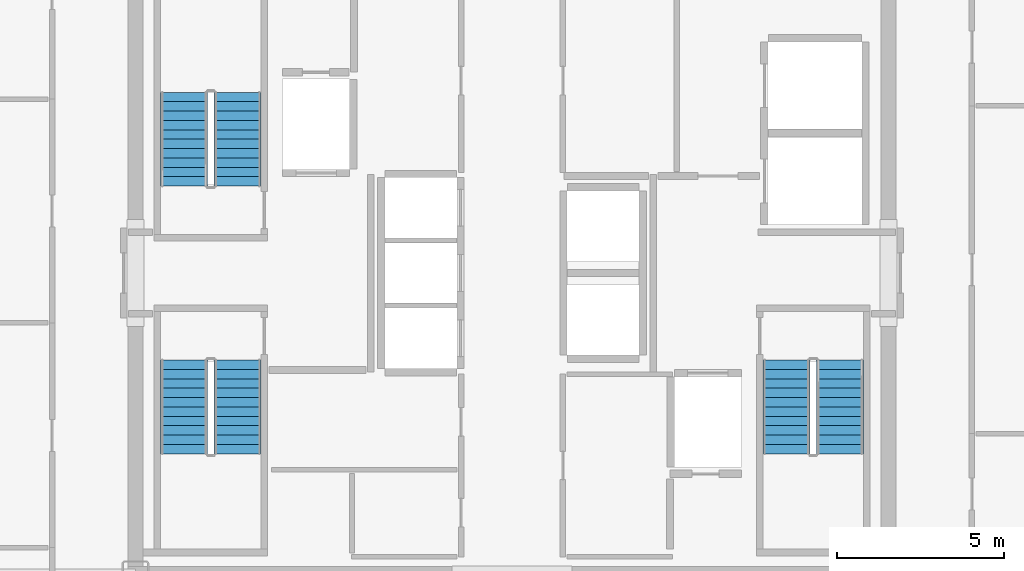
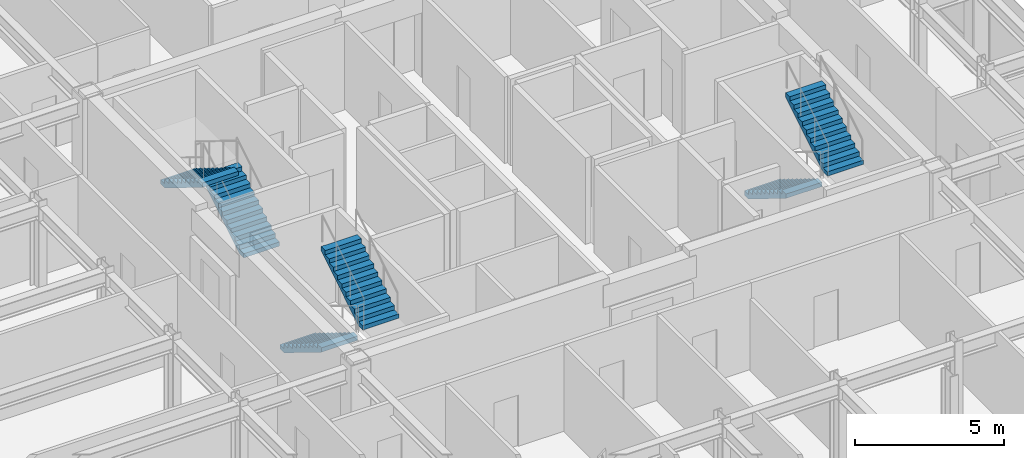
# One storey, part 17 of 18: 6 stair flights, 3 elements without a shape of their own.
"""IFC4 building model written with IfcOpenShell, lengths in metres."""

from ifc_helpers import new_model, si_unit, direction, frame, origin, place, context, subcontext, project, spatial, polyline, outline, extrude, source, transform, mapped, material, type_object, element, aggregate, save


model = new_model("IFC4")

# Units and contexts
model_context = context("Model", 3, precision=1e-05, world=origin(), true_north=direction((0.0, 1.0)))
body_context = subcontext(model_context, "Body", "Model", "MODEL_VIEW")
ifc_project = project(units=[si_unit("LENGTHUNIT", "METRE"), si_unit("AREAUNIT", "SQUARE_METRE"), si_unit("VOLUMEUNIT", "CUBIC_METRE"), si_unit("PLANEANGLEUNIT", "RADIAN"), si_unit("MASSUNIT", "GRAM", prefix="KILO")], contexts=[model_context])

# Site, building, storey
site_placement = place(None, origin())
site = spatial("IfcSite", under=ifc_project, at=site_placement, CompositionType="ELEMENT")
building_placement = place(site_placement, origin())
building = spatial("IfcBuilding", under=site, at=building_placement, Name="Nefas-Gora Pilgrimage Tower", CompositionType="ELEMENT")
storey_placement = place(building_placement, frame((0.0, 0.0, 272.199951171875)))
storey = spatial("IfcBuildingStorey", under=building, at=storey_placement, Name="L68", CompositionType="ELEMENT", Elevation=272.199951171875)

# Stair, stair flights
ifc_material = material(Name="Concrete C45/55", Category="concrete")
stair_type = type_object("IfcStairType", Name="STR-1400-R1727", PredefinedType="HALF_TURN_STAIR", material=ifc_material)
stair_1_placement = place(storey_placement, origin())
stair_1 = element("IfcStair", 1, at=stair_1_placement, inside=storey, type_object=stair_type, Name="L68 Pressurised Tower Exit Stair ST-01", PredefinedType="HALF_TURN_STAIR")
stair_flight_type = type_object("IfcStairFlightType", Name="STF-1400-R1727", PredefinedType="STRAIGHT", material=ifc_material)
shared_shape = source(origin(), body_context, "Body", "SweptSolid", [
    extrude(outline(polyline([(0.0, 0.0), (0.0, 0.172607421875), (0.280029296875, 0.172607421875), (0.280029296875, 0.345458984375), (0.56005859375, 0.345458984375), (0.56005859375, 0.51806640625), (0.840087890625, 0.51806640625), (0.840087890625, 0.69091796875), (1.1201171875, 0.69091796875), (1.1201171875, 0.863525390625), (1.39990234375, 0.863525390625), (1.39990234375, 1.036376953125), (1.679931640625, 1.036376953125), (1.679931640625, 1.208984375), (1.9599609375, 1.208984375), (1.9599609375, 1.3818359375), (2.239990234375, 1.3818359375), (2.239990234375, 1.554443359375), (2.52001953125, 1.554443359375), (2.52001953125, 1.727294921875), (2.800048828125, 1.727294921875), (2.800048828125, 1.89990234375), (2.800048828125, 1.551025390625), (0.285400390625, 0.0), (0.0, 0.0)])), frame((0.0, 0.699951171875, 0.0), z_axis=(0.0, -1.0, 0.0), x_axis=(1.0, 0.0, 0.0)), (0.0, 0.0, 1.0), 1.39990234375),
])
stair_flight_1_placement = place(storey_placement, frame((-8.199951171875, 2.60009765625, 0.0), z_axis=(0.0, 0.0, 1.0), x_axis=(0.0, 1.0, 0.0)))
stair_flight_1 = element("IfcStairFlight", 2, at=stair_flight_1_placement, type_object=stair_flight_type, Name="ST-01 flight 1", NumberOfRisers=11, NumberOfTreads=10, PredefinedType="STRAIGHT", RiserHeight=0.172727273, TreadLength=0.28, context=body_context, shape_type="MappedRepresentation", body=[
    mapped(shared_shape, transform((0.0, 0.0, 0.0), x_axis=(1.0, 0.0, 0.0), y_axis=(0.0, 1.0, 0.0), z_axis=(0.0, 0.0, 1.0), scale=1.0)),
])
stair_flight_2_placement = place(storey_placement, frame((-9.800048828125, 5.39990234375, 1.900146484375), z_axis=(0.0, 0.0, 1.0), x_axis=(0.0, -1.0, 0.0)))
stair_flight_2 = element("IfcStairFlight", 3, at=stair_flight_2_placement, type_object=stair_flight_type, Name="ST-01 flight 2", NumberOfRisers=11, NumberOfTreads=10, PredefinedType="STRAIGHT", RiserHeight=0.172727273, TreadLength=0.28, context=body_context, shape_type="MappedRepresentation", body=[
    mapped(shared_shape, transform((0.0, 0.0, 0.0), x_axis=(1.0, 0.0, 0.0), y_axis=(0.0, 1.0, 0.0), z_axis=(0.0, 0.0, 1.0), scale=1.0)),
])
aggregate(stair_1, [stair_flight_1, stair_flight_2])

stair_2_placement = place(storey_placement, origin())
stair_2 = element("IfcStair", 4, at=stair_2_placement, inside=storey, type_object=stair_type, Name="L68 Pressurised Tower Exit Stair ST-02", PredefinedType="HALF_TURN_STAIR")
stair_flight_3_placement = place(storey_placement, frame((8.199951171875, -2.60009765625, 0.0), z_axis=(0.0, 0.0, 1.0), x_axis=(0.0, -1.0, 0.0)))
stair_flight_3 = element("IfcStairFlight", 5, at=stair_flight_3_placement, type_object=stair_flight_type, Name="ST-02 flight 1", NumberOfRisers=11, NumberOfTreads=10, PredefinedType="STRAIGHT", RiserHeight=0.172727273, TreadLength=0.28, context=body_context, shape_type="MappedRepresentation", body=[
    mapped(shared_shape, transform((0.0, 0.0, 0.0), x_axis=(1.0, 0.0, 0.0), y_axis=(0.0, 1.0, 0.0), z_axis=(0.0, 0.0, 1.0), scale=1.0)),
])
stair_flight_4_placement = place(storey_placement, frame((9.800048828125, -5.39990234375, 1.900146484375), z_axis=(0.0, 0.0, 1.0), x_axis=(0.0, 1.0, 0.0)))
stair_flight_4 = element("IfcStairFlight", 6, at=stair_flight_4_placement, type_object=stair_flight_type, Name="ST-02 flight 2", NumberOfRisers=11, NumberOfTreads=10, PredefinedType="STRAIGHT", RiserHeight=0.172727273, TreadLength=0.28, context=body_context, shape_type="MappedRepresentation", body=[
    mapped(shared_shape, transform((0.0, 0.0, 0.0), x_axis=(1.0, 0.0, 0.0), y_axis=(0.0, 1.0, 0.0), z_axis=(0.0, 0.0, 1.0), scale=1.0)),
])
aggregate(stair_2, [stair_flight_3, stair_flight_4])

stair_3_placement = place(storey_placement, origin())
stair_3 = element("IfcStair", 7, at=stair_3_placement, inside=storey, type_object=stair_type, Name="L68 Pressurised Tower Exit Stair ST-03", PredefinedType="HALF_TURN_STAIR")
stair_flight_5_placement = place(storey_placement, frame((-9.800048828125, -2.60009765625, 0.0), z_axis=(0.0, 0.0, 1.0), x_axis=(0.0, -1.0, 0.0)))
stair_flight_5 = element("IfcStairFlight", 8, at=stair_flight_5_placement, type_object=stair_flight_type, Name="ST-03 flight 1", NumberOfRisers=11, NumberOfTreads=10, PredefinedType="STRAIGHT", RiserHeight=0.172727273, TreadLength=0.28, context=body_context, shape_type="MappedRepresentation", body=[
    mapped(shared_shape, transform((0.0, 0.0, 0.0), x_axis=(1.0, 0.0, 0.0), y_axis=(0.0, 1.0, 0.0), z_axis=(0.0, 0.0, 1.0), scale=1.0)),
])
stair_flight_6_placement = place(storey_placement, frame((-8.199951171875, -5.39990234375, 1.900146484375), z_axis=(0.0, 0.0, 1.0), x_axis=(0.0, 1.0, 0.0)))
stair_flight_6 = element("IfcStairFlight", 9, at=stair_flight_6_placement, type_object=stair_flight_type, Name="ST-03 flight 2", NumberOfRisers=11, NumberOfTreads=10, PredefinedType="STRAIGHT", RiserHeight=0.172727273, TreadLength=0.28, context=body_context, shape_type="MappedRepresentation", body=[
    mapped(shared_shape, transform((0.0, 0.0, 0.0), x_axis=(1.0, 0.0, 0.0), y_axis=(0.0, 1.0, 0.0), z_axis=(0.0, 0.0, 1.0), scale=1.0)),
])
aggregate(stair_3, [stair_flight_5, stair_flight_6])

save(model, "model.ifc")
